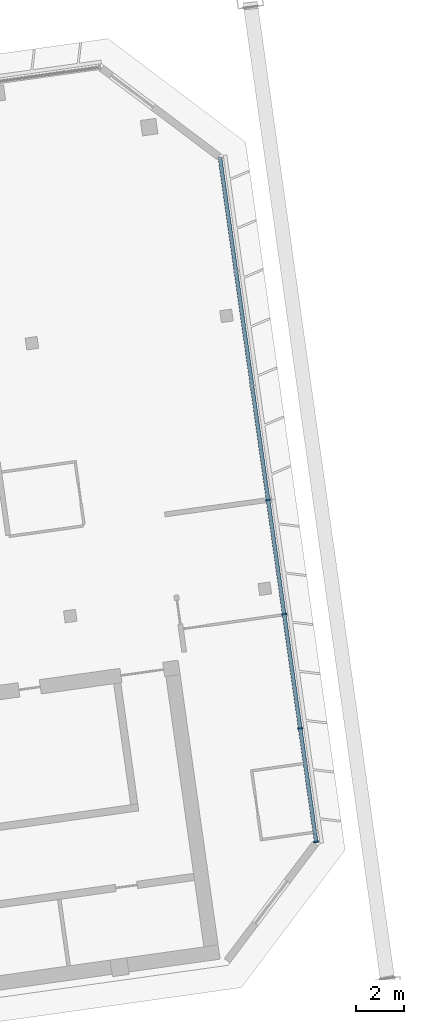
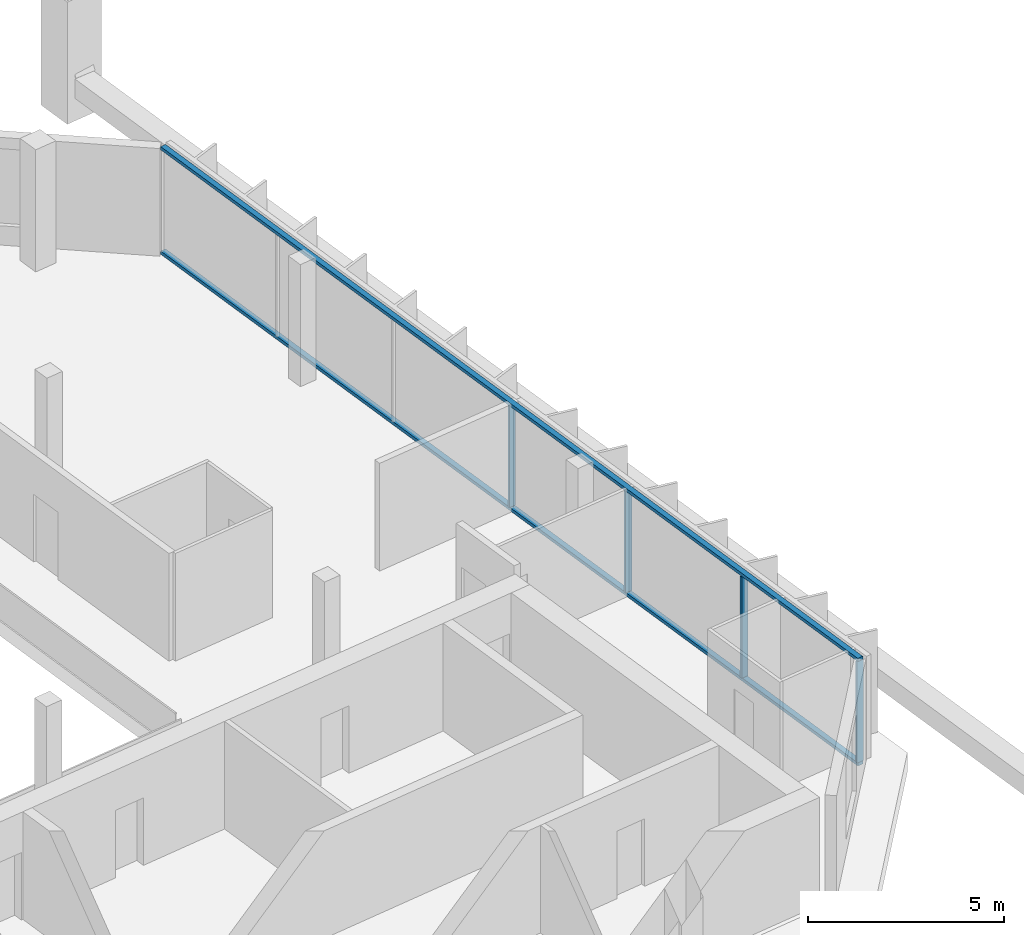
# One storey, part 11 of 26: 6 members, 1 element without a shape of its own.
"""IFC4 building model written with IfcOpenShell, lengths in metres."""

from ifc_helpers import new_model, si_unit, direction, frame, origin, origin_2d, place, context, subcontext, project, spatial, rectangle, extrude, material, material_profile, profile_set, type_object, element, aggregate, save


model = new_model("IFC4")

# Units and contexts
model_context = context("Model", 3, precision=1e-05, world=origin(), true_north=direction((0.0, 1.0)))
body_context = subcontext(model_context, "Body", "Model", "MODEL_VIEW")
ifc_project = project(units=[si_unit("LENGTHUNIT", "METRE"), si_unit("AREAUNIT", "SQUARE_METRE"), si_unit("VOLUMEUNIT", "CUBIC_METRE"), si_unit("PLANEANGLEUNIT", "RADIAN"), si_unit("MASSUNIT", "GRAM", prefix="KILO")], contexts=[model_context])

# Site, building, storey
site_placement = place(None, origin())
site = spatial("IfcSite", under=ifc_project, at=site_placement, CompositionType="ELEMENT")
building_placement = place(site_placement, origin())
building = spatial("IfcBuilding", under=site, at=building_placement, Name="Mirante Cascada Hotel Towers", CompositionType="ELEMENT")
storey_placement = place(building_placement, frame((0.0, 0.0, 216.6)))
storey = spatial("IfcBuildingStorey", under=building, at=storey_placement, Name="L51", CompositionType="ELEMENT", Elevation=216.6)

# Curtain wall, members
ifc_material_1 = material(Name="Aluminium mullion and transom frame with clear laminated glass", Category="aluminium")
curtain_wall_type = type_object("IfcCurtainWallType", Name="End ribbon curtain wall ECW2", PredefinedType="NOTDEFINED", material=ifc_material_1)
curtain_wall_placement = place(storey_placement, origin())
curtain_wall = element("IfcCurtainWall", 1, at=curtain_wall_placement, inside=storey, type_object=curtain_wall_type, Name="Outer end wall T2 L51", PredefinedType="NOTDEFINED")
ifc_material_2 = material(Name="Anodised aluminium extrusion", Category="aluminium")
ifc_material_profile_1 = material_profile(ifc_material_2, rectangle(XDim=0.2, YDim=0.065, at=origin_2d()), Name="ECW2 MULLION 65x200")
ifc_profile_set_1 = profile_set([ifc_material_profile_1], Name="Anodised aluminium extrusion")
member_type_1 = type_object("IfcMemberType", Name="ECW2 mullion 65x200", PredefinedType="MULLION", material=ifc_profile_set_1)
member_1_placement = place(storey_placement, frame((76.4184, -10.0233, 0.1), z_axis=(0.0, 0.0, 1.0), x_axis=(-0.9902681, -0.1391731, 0.0)))
member_1 = element("IfcMember", 2, at=member_1_placement, type_object=member_type_1, Name="ECW2 mullion 1", PredefinedType="MULLION", context=body_context, shape_type="SweptSolid", body=[
    extrude(rectangle(XDim=0.2, YDim=0.065, at=origin_2d()), origin(), (0.0, 0.0, 1.0), 3.15),
])
member_2_placement = place(storey_placement, frame((75.7531, -5.2897, 0.1), z_axis=(0.0, 0.0, 1.0), x_axis=(-0.9902681, -0.1391731, 0.0)))
member_2 = element("IfcMember", 3, at=member_2_placement, type_object=member_type_1, Name="ECW2 mullion 2", PredefinedType="MULLION", context=body_context, shape_type="SweptSolid", body=[
    extrude(rectangle(XDim=0.2, YDim=0.065, at=origin_2d()), origin(), (0.0, 0.0, 1.0), 3.15),
])
member_3_placement = place(storey_placement, frame((75.0833, -0.5239, 0.1), z_axis=(0.0, 0.0, 1.0), x_axis=(-0.9902681, -0.1391731, 0.0)))
member_3 = element("IfcMember", 4, at=member_3_placement, type_object=member_type_1, Name="ECW2 mullion 3", PredefinedType="MULLION", context=body_context, shape_type="SweptSolid", body=[
    extrude(rectangle(XDim=0.2, YDim=0.065, at=origin_2d()), origin(), (0.0, 0.0, 1.0), 3.15),
])
member_4_placement = place(storey_placement, frame((74.4135, 4.2419, 0.1), z_axis=(0.0, 0.0, 1.0), x_axis=(-0.9902681, -0.1391731, 0.0)))
member_4 = element("IfcMember", 5, at=member_4_placement, type_object=member_type_1, Name="ECW2 mullion 4", PredefinedType="MULLION", context=body_context, shape_type="SweptSolid", body=[
    extrude(rectangle(XDim=0.2, YDim=0.065, at=origin_2d()), origin(), (0.0, 0.0, 1.0), 3.15),
])
ifc_material_3 = material(Name="Anodised aluminium extrusion", Category="aluminium")
ifc_material_profile_2 = material_profile(ifc_material_3, rectangle(XDim=0.16, YDim=0.1, at=origin_2d()), Name="ECW2 TRANSOM 100x160")
ifc_profile_set_2 = profile_set([ifc_material_profile_2], Name="Anodised aluminium extrusion")
member_type_2 = type_object("IfcMemberType", Name="ECW2 transom 100x160", PredefinedType="USERDEFINED", material=ifc_profile_set_2)
member_5_placement = place(storey_placement, frame((76.4229, -10.0554, 0.05), z_axis=(-0.1391723, 0.9902682, 0.0), x_axis=(-0.9902682, -0.1391723, 0.0)))
member_5 = element("IfcMember", 6, at=member_5_placement, type_object=member_type_2, Name="ECW2 sill transom", ObjectType="TRANSOM", PredefinedType="USERDEFINED", context=body_context, shape_type="SweptSolid", body=[
    extrude(rectangle(XDim=0.16, YDim=0.1, at=origin_2d()), origin(), (0.0, 0.0, 1.0), 28.8757),
])
member_6_placement = place(storey_placement, frame((76.4229, -10.0554, 3.3), z_axis=(-0.1391723, 0.9902682, 0.0), x_axis=(-0.9902682, -0.1391723, 0.0)))
member_6 = element("IfcMember", 7, at=member_6_placement, type_object=member_type_2, Name="ECW2 head transom", ObjectType="TRANSOM", PredefinedType="USERDEFINED", context=body_context, shape_type="SweptSolid", body=[
    extrude(rectangle(XDim=0.16, YDim=0.1, at=origin_2d()), origin(), (0.0, 0.0, 1.0), 28.8757),
])
aggregate(curtain_wall, [member_5, member_6, member_1, member_2, member_3, member_4])

save(model, "model.ifc")
